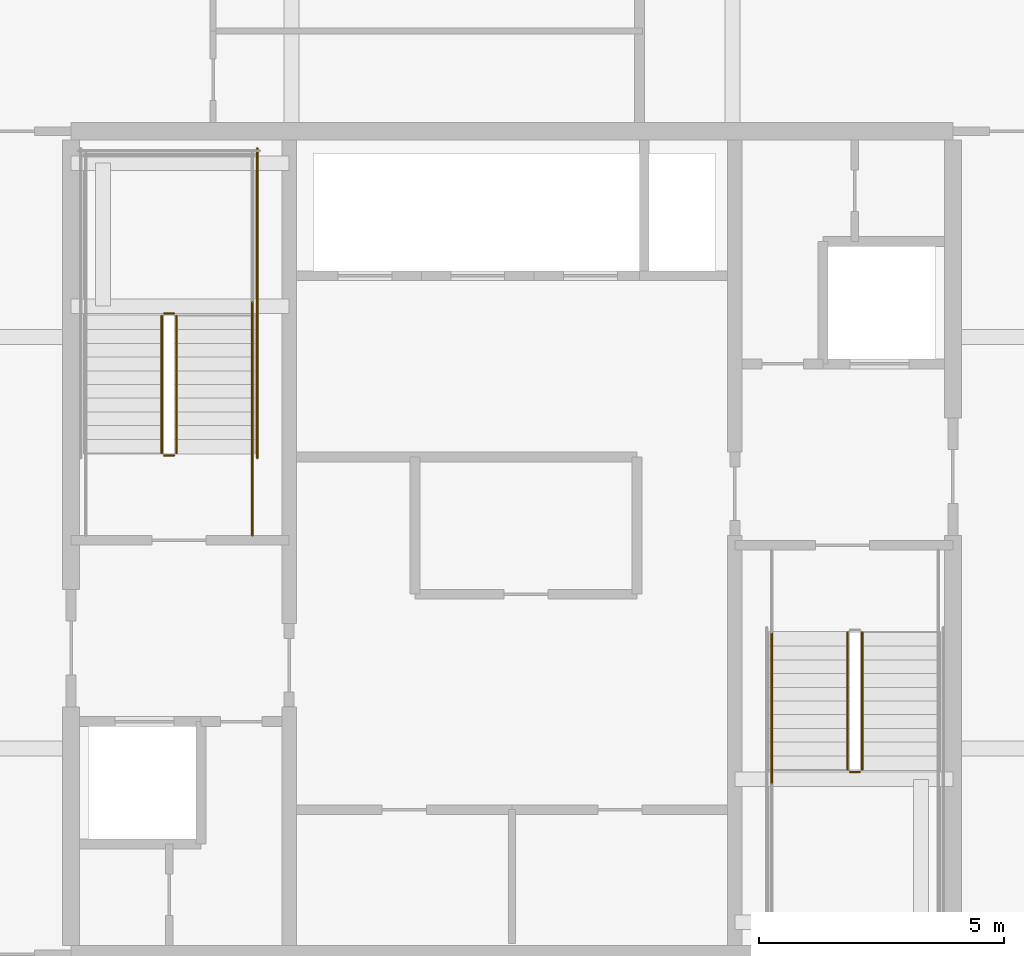
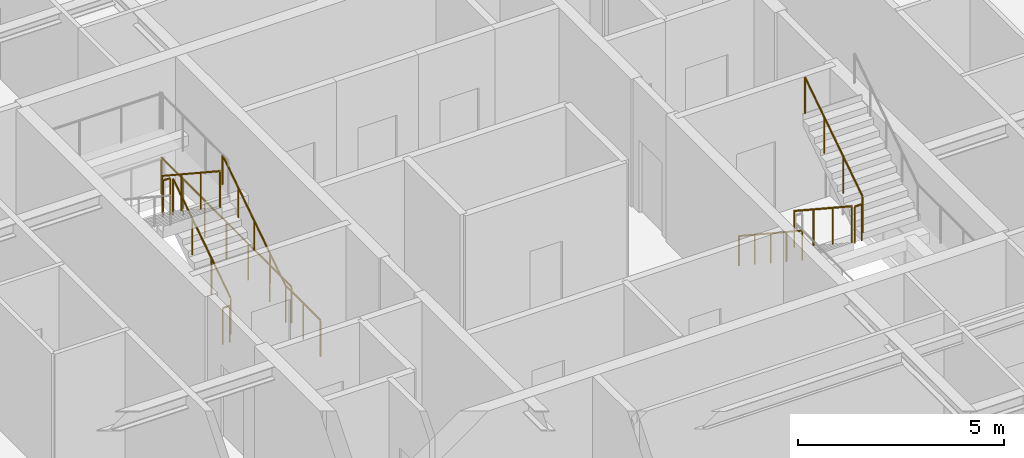
# One storey, part 39 of 42: 11 railings.
"""IFC4 building model written with IfcOpenShell, lengths in metres."""

from ifc_helpers import new_model, si_unit, direction, frame, origin, origin_2d, place, context, subcontext, project, spatial, circle, extrude, material, type_object, element, save


model = new_model("IFC4")

# Units and contexts
model_context = context("Model", 3, precision=1e-05, world=origin(), true_north=direction((0.0, 1.0)))
body_context = subcontext(model_context, "Body", "Model", "MODEL_VIEW")
ifc_project = project(units=[si_unit("LENGTHUNIT", "METRE"), si_unit("AREAUNIT", "SQUARE_METRE"), si_unit("VOLUMEUNIT", "CUBIC_METRE"), si_unit("PLANEANGLEUNIT", "RADIAN"), si_unit("MASSUNIT", "GRAM", prefix="KILO")], contexts=[model_context])

# Site, building, storey
site_placement = place(None, origin())
site = spatial("IfcSite", under=ifc_project, at=site_placement, CompositionType="ELEMENT")
building_placement = place(site_placement, origin())
building = spatial("IfcBuilding", under=site, at=building_placement, Name="Serunith Strait Residences", CompositionType="ELEMENT")
storey_placement = place(building_placement, frame((0.0, 0.0, 297.5)))
storey = spatial("IfcBuildingStorey", under=building, at=storey_placement, Name="L74", CompositionType="ELEMENT", Elevation=297.5)

# Railings
ifc_material = material(Name="Brushed stainless steel 316L", Category="steel")
railing_type_1 = type_object("IfcRailingType", Name="RLG-STAIR-GUARD", PredefinedType="BALUSTRADE", material=ifc_material)
railing_1_placement = place(storey_placement, frame((25.550048828125, 27.030029296875, 0.18408203125)))
element("IfcRailing", 1, at=railing_1_placement, inside=storey, type_object=railing_type_1, Name="L74 ST-1 stair guard 1", PredefinedType="BALUSTRADE", context=body_context, shape_type="SweptSolid", body=[
    extrude(circle(Radius=0.02392578125, at=origin_2d()), frame((0.0, 0.001708984375, 1.0771484375), z_axis=(0.0, 0.835597507184, 0.549342157483), x_axis=(-1.0, 0.0, 0.0)), (0.0, 0.0, 1.0), 3.346923828125),
    extrude(circle(Radius=0.02099609375, at=origin_2d()), origin(), (0.0, 0.0, 1.0), 1.050048828125),
    extrude(circle(Radius=0.02099609375, at=origin_2d()), frame((0.0, 0.933349609375, 0.613525390625)), (0.0, 0.0, 1.0), 1.050048828125),
    extrude(circle(Radius=0.02099609375, at=origin_2d()), frame((0.0, 1.86669921875, 1.227294921875)), (0.0, 0.0, 1.0), 1.050048828125),
    extrude(circle(Radius=0.02099609375, at=origin_2d()), frame((0.0, 2.800048828125, 1.8408203125)), (0.0, 0.0, 1.0), 1.050048828125),
])
railing_2_placement = place(storey_placement, frame((25.5, 29.8798828125, 2.02490234375)))
element("IfcRailing", 2, at=railing_2_placement, inside=storey, type_object=railing_type_1, Name="L74 ST-1 stair guard 2", PredefinedType="BALUSTRADE", context=body_context, shape_type="SweptSolid", body=[
    extrude(circle(Radius=0.02392578125, at=origin_2d()), frame((-0.001953125, 0.0, 1.076171875), z_axis=(-1.0, 0.0, 0.0), x_axis=(0.0, -1.0, 0.0)), (0.0, 0.0, 1.0), 0.196044921875),
    extrude(circle(Radius=0.02099609375, at=origin_2d()), origin(), (0.0, 0.0, 1.0), 1.050048828125),
    extrude(circle(Radius=0.02099609375, at=origin_2d()), frame((-0.199951171875, 0.0, 0.0)), (0.0, 0.0, 1.0), 1.050048828125),
])
railing_3_placement = place(storey_placement, frame((25.25, 29.830078125, 2.208984375)))
element("IfcRailing", 3, at=railing_3_placement, inside=storey, type_object=railing_type_1, Name="L74 ST-1 stair guard 6", PredefinedType="BALUSTRADE", context=body_context, shape_type="SweptSolid", body=[
    extrude(circle(Radius=0.02392578125, at=origin_2d()), frame((0.0, -0.001708984375, 1.0771484375), z_axis=(0.0, -0.83556406348, 0.549393024911), x_axis=(1.0, 0.0, 0.0)), (0.0, 0.0, 1.0), 3.34716796875),
    extrude(circle(Radius=0.02099609375, at=origin_2d()), origin(), (0.0, 0.0, 1.0), 1.050048828125),
    extrude(circle(Radius=0.02099609375, at=origin_2d()), frame((0.0, -0.933349609375, 0.61376953125)), (0.0, 0.0, 1.0), 1.050048828125),
    extrude(circle(Radius=0.02099609375, at=origin_2d()), frame((0.0, -1.86669921875, 1.227294921875)), (0.0, 0.0, 1.0), 1.050048828125),
    extrude(circle(Radius=0.02099609375, at=origin_2d()), frame((0.0, -2.800048828125, 1.841064453125)), (0.0, 0.0, 1.0), 1.050048828125),
])
railing_4_placement = place(storey_placement, frame((25.5, 26.97998046875, 0.0)))
element("IfcRailing", 4, at=railing_4_placement, inside=storey, type_object=railing_type_1, Name="L74 ST-1 stair guard 7", PredefinedType="BALUSTRADE", context=body_context, shape_type="SweptSolid", body=[
    extrude(circle(Radius=0.02392578125, at=origin_2d()), frame((-0.001953125, 0.0, 1.076171875), z_axis=(-1.0, 0.0, 0.0), x_axis=(0.0, -1.0, 0.0)), (0.0, 0.0, 1.0), 0.196044921875),
    extrude(circle(Radius=0.02099609375, at=origin_2d()), origin(), (0.0, 0.0, 1.0), 1.050048828125),
    extrude(circle(Radius=0.02099609375, at=origin_2d()), frame((-0.199951171875, 0.0, 0.0)), (0.0, 0.0, 1.0), 1.050048828125),
])
railing_5_placement = place(storey_placement, frame((27.10009765625, 25.35009765625, 0.0)))
element("IfcRailing", 5, at=railing_5_placement, inside=storey, type_object=railing_type_1, Name="L74 ST-1 stair guard 8", PredefinedType="BALUSTRADE", context=body_context, shape_type="SweptSolid", body=[
    extrude(circle(Radius=0.02392578125, at=origin_2d()), frame((0.0, 0.001953125, 1.076171875), z_axis=(0.0, 1.0, 0.0), x_axis=(-1.0, 0.0, 0.0)), (0.0, 0.0, 1.0), 1.676025390625),
    extrude(circle(Radius=0.02099609375, at=origin_2d()), origin(), (0.0, 0.0, 1.0), 1.050048828125),
    extrude(circle(Radius=0.02099609375, at=origin_2d()), frame((0.0, 0.83984375, 0.0)), (0.0, 0.0, 1.0), 1.050048828125),
    extrude(circle(Radius=0.02099609375, at=origin_2d()), frame((0.0, 1.679931640625, 0.0)), (0.0, 0.0, 1.0), 1.050048828125),
])
railing_6_placement = place(storey_placement, frame((27.199951171875, 26.929931640625, 0.0)))
element("IfcRailing", 6, at=railing_6_placement, inside=storey, type_object=railing_type_1, Name="L74 ST-1 stair guard 10", PredefinedType="BALUSTRADE", context=body_context, shape_type="SweptSolid", body=[
    extrude(circle(Radius=0.02392578125, at=origin_2d()), frame((0.0, 0.001953125, 1.076171875), z_axis=(0.0, 1.0, 0.0), x_axis=(-1.0, 0.0, 0.0)), (0.0, 0.0, 1.0), 6.316162109375),
    extrude(circle(Radius=0.02099609375, at=origin_2d()), origin(), (0.0, 0.0, 1.0), 1.050048828125),
    extrude(circle(Radius=0.02099609375, at=origin_2d()), frame((0.0, 1.05322265625, 0.0)), (0.0, 0.0, 1.0), 1.050048828125),
    extrude(circle(Radius=0.02099609375, at=origin_2d()), frame((0.0, 2.106689453125, 0.0)), (0.0, 0.0, 1.0), 1.050048828125),
    extrude(circle(Radius=0.02099609375, at=origin_2d()), frame((0.0, 3.16015625, 0.0)), (0.0, 0.0, 1.0), 1.050048828125),
    extrude(circle(Radius=0.02099609375, at=origin_2d()), frame((0.0, 4.21337890625, 0.0)), (0.0, 0.0, 1.0), 1.050048828125),
    extrude(circle(Radius=0.02099609375, at=origin_2d()), frame((0.0, 5.2666015625, 0.0)), (0.0, 0.0, 1.0), 1.050048828125),
    extrude(circle(Radius=0.02099609375, at=origin_2d()), frame((0.0, 6.320068359375, 0.0)), (0.0, 0.0, 1.0), 1.050048828125),
])
railing_7_placement = place(storey_placement, frame((39.25, 23.3701171875, 0.18408203125)))
element("IfcRailing", 7, at=railing_7_placement, inside=storey, type_object=railing_type_1, Name="L74 ST-2 stair guard 1", PredefinedType="BALUSTRADE", context=body_context, shape_type="SweptSolid", body=[
    extrude(circle(Radius=0.02392578125, at=origin_2d()), frame((0.0, -0.001708984375, 1.0771484375), z_axis=(0.0, -0.835597507184, 0.549342157483), x_axis=(1.0, 0.0, 0.0)), (0.0, 0.0, 1.0), 3.346923828125),
    extrude(circle(Radius=0.02099609375, at=origin_2d()), origin(), (0.0, 0.0, 1.0), 1.050048828125),
    extrude(circle(Radius=0.02099609375, at=origin_2d()), frame((0.0, -0.933349609375, 0.613525390625)), (0.0, 0.0, 1.0), 1.050048828125),
    extrude(circle(Radius=0.02099609375, at=origin_2d()), frame((0.0, -1.86669921875, 1.227294921875)), (0.0, 0.0, 1.0), 1.050048828125),
    extrude(circle(Radius=0.02099609375, at=origin_2d()), frame((0.0, -2.800048828125, 1.8408203125)), (0.0, 0.0, 1.0), 1.050048828125),
])
railing_8_placement = place(storey_placement, frame((39.300048828125, 20.52001953125, 2.02490234375)))
element("IfcRailing", 8, at=railing_8_placement, inside=storey, type_object=railing_type_1, Name="L74 ST-2 stair guard 2", PredefinedType="BALUSTRADE", context=body_context, shape_type="SweptSolid", body=[
    extrude(circle(Radius=0.02392578125, at=origin_2d()), frame((0.001953125, 0.0, 1.076171875), z_axis=(1.0, 0.0, 0.0), x_axis=(0.0, 1.0, 0.0)), (0.0, 0.0, 1.0), 0.196044921875),
    extrude(circle(Radius=0.02099609375, at=origin_2d()), origin(), (0.0, 0.0, 1.0), 1.050048828125),
    extrude(circle(Radius=0.02099609375, at=origin_2d()), frame((0.199951171875, 0.0, 0.0)), (0.0, 0.0, 1.0), 1.050048828125),
])
railing_9_placement = place(storey_placement, frame((39.550048828125, 20.570068359375, 2.208984375)))
element("IfcRailing", 9, at=railing_9_placement, inside=storey, type_object=railing_type_1, Name="L74 ST-2 stair guard 6", PredefinedType="BALUSTRADE", context=body_context, shape_type="SweptSolid", body=[
    extrude(circle(Radius=0.02392578125, at=origin_2d()), frame((0.0, 0.001708984375, 1.0771484375), z_axis=(0.0, 0.83556406348, 0.549393024911), x_axis=(-1.0, 0.0, 0.0)), (0.0, 0.0, 1.0), 3.34716796875),
    extrude(circle(Radius=0.02099609375, at=origin_2d()), origin(), (0.0, 0.0, 1.0), 1.050048828125),
    extrude(circle(Radius=0.02099609375, at=origin_2d()), frame((0.0, 0.933349609375, 0.61376953125)), (0.0, 0.0, 1.0), 1.050048828125),
    extrude(circle(Radius=0.02099609375, at=origin_2d()), frame((0.0, 1.86669921875, 1.227294921875)), (0.0, 0.0, 1.0), 1.050048828125),
    extrude(circle(Radius=0.02099609375, at=origin_2d()), frame((0.0, 2.800048828125, 1.841064453125)), (0.0, 0.0, 1.0), 1.050048828125),
])
railing_type_2 = type_object("IfcRailingType", Name="RLG-STAIR-HR", PredefinedType="HANDRAIL", material=ifc_material)
railing_10_placement = place(storey_placement, frame((27.10009765625, 27.030029296875, 0.18408203125)))
element("IfcRailing", 10, at=railing_10_placement, inside=storey, type_object=railing_type_2, Name="L74 ST-1 stair handrail 1", PredefinedType="HANDRAIL", context=body_context, shape_type="SweptSolid", body=[
    extrude(circle(Radius=0.02392578125, at=origin_2d()), frame((0.0, 0.001708984375, 0.876953125), z_axis=(0.0, 0.83496096917, 0.550309167616), x_axis=(-1.0, 0.0, 0.0)), (0.0, 0.0, 1.0), 3.684814453125),
    extrude(circle(Radius=0.02099609375, at=origin_2d()), origin(), (0.0, 0.0, 1.0), 0.849853515625),
    extrude(circle(Radius=0.02099609375, at=origin_2d()), frame((0.0, 0.77001953125, 0.507568359375)), (0.0, 0.0, 1.0), 0.849853515625),
    extrude(circle(Radius=0.02099609375, at=origin_2d()), frame((0.0, 1.5400390625, 1.01513671875)), (0.0, 0.0, 1.0), 0.849853515625),
    extrude(circle(Radius=0.02099609375, at=origin_2d()), frame((0.0, 2.31005859375, 1.5224609375)), (0.0, 0.0, 1.0), 0.849853515625),
    extrude(circle(Radius=0.02099609375, at=origin_2d()), frame((0.0, 3.080078125, 2.030029296875)), (0.0, 0.0, 1.0), 0.849853515625),
])
railing_11_placement = place(storey_placement, frame((37.699951171875, 23.3701171875, 0.18408203125)))
element("IfcRailing", 11, at=railing_11_placement, inside=storey, type_object=railing_type_2, Name="L74 ST-2 stair handrail 1", PredefinedType="HANDRAIL", context=body_context, shape_type="SweptSolid", body=[
    extrude(circle(Radius=0.02392578125, at=origin_2d()), frame((0.0, -0.001708984375, 0.876953125), z_axis=(0.0, -0.83496096917, 0.550309167616), x_axis=(1.0, 0.0, 0.0)), (0.0, 0.0, 1.0), 3.684814453125),
    extrude(circle(Radius=0.02099609375, at=origin_2d()), origin(), (0.0, 0.0, 1.0), 0.849853515625),
    extrude(circle(Radius=0.02099609375, at=origin_2d()), frame((0.0, -0.77001953125, 0.507568359375)), (0.0, 0.0, 1.0), 0.849853515625),
    extrude(circle(Radius=0.02099609375, at=origin_2d()), frame((0.0, -1.5400390625, 1.01513671875)), (0.0, 0.0, 1.0), 0.849853515625),
    extrude(circle(Radius=0.02099609375, at=origin_2d()), frame((0.0, -2.31005859375, 1.5224609375)), (0.0, 0.0, 1.0), 0.849853515625),
    extrude(circle(Radius=0.02099609375, at=origin_2d()), frame((0.0, -3.080078125, 2.030029296875)), (0.0, 0.0, 1.0), 0.849853515625),
])

save(model, "model.ifc")
